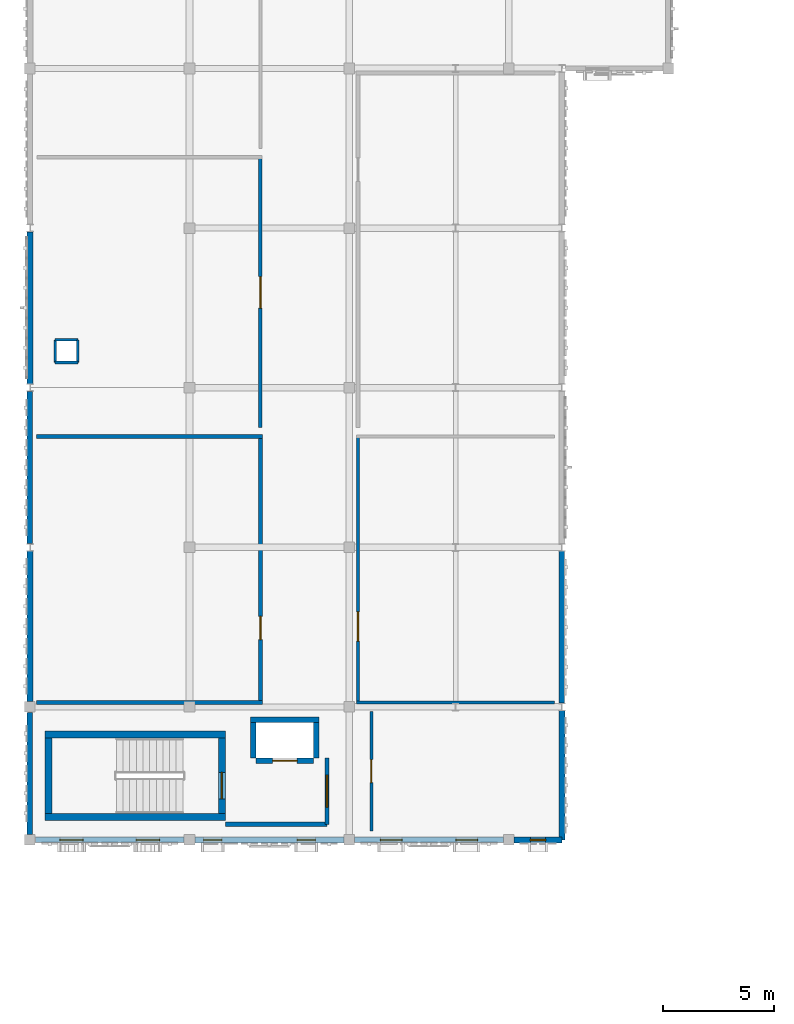
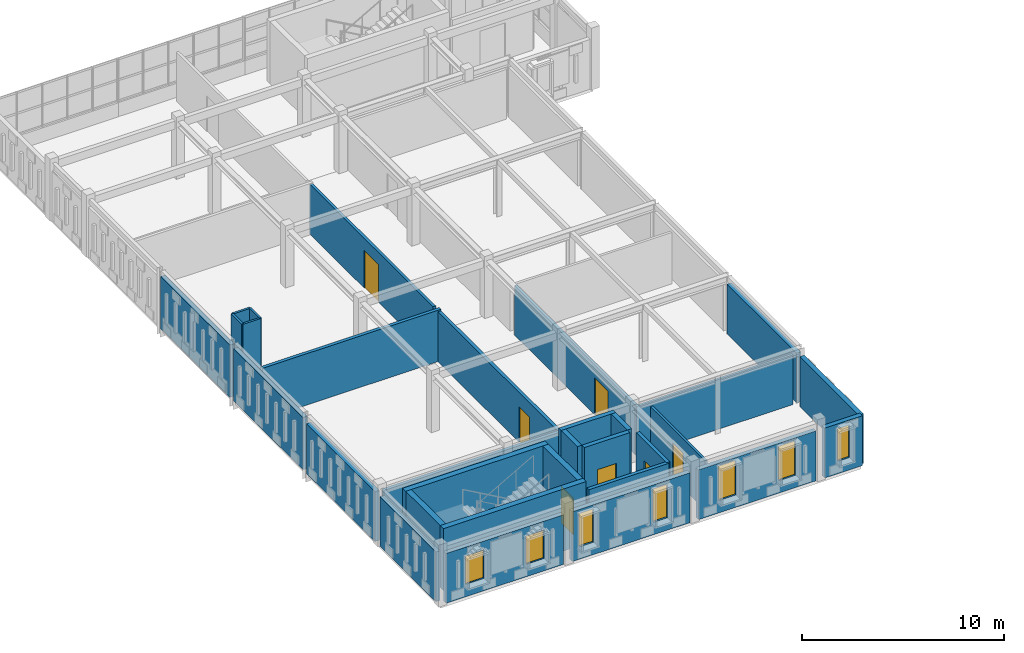
# One storey, part 24 of 53: 31 walls, 7 doors, 7 windows, 14 openings.
"""IFC4 building model written with IfcOpenShell, lengths in metres."""

from ifc_helpers import new_model, si_unit, direction, frame, frame_2d, origin, place, context, subcontext, project, spatial, rectangle, extrude, material, layer, layer_set, type_object, element, fill, save


model = new_model("IFC4")

# Units and contexts
model_context = context("Model", 3, precision=1e-05, world=origin(), true_north=direction((0.0, 1.0)))
body_context = subcontext(model_context, "Body", "Model", "MODEL_VIEW")
ifc_project = project(units=[si_unit("LENGTHUNIT", "METRE"), si_unit("AREAUNIT", "SQUARE_METRE"), si_unit("VOLUMEUNIT", "CUBIC_METRE"), si_unit("PLANEANGLEUNIT", "RADIAN"), si_unit("MASSUNIT", "GRAM", prefix="KILO")], contexts=[model_context])

# Site, building, storey
site_placement = place(None, origin())
site = spatial("IfcSite", under=ifc_project, at=site_placement, CompositionType="ELEMENT")
building_placement = place(site_placement, origin())
building = spatial("IfcBuilding", under=site, at=building_placement, Name="Nzembalo Square Collegiate School", CompositionType="ELEMENT")
storey_placement = place(building_placement, frame((0.0, 0.0, 13.60009765625)))
storey = spatial("IfcBuildingStorey", under=building, at=storey_placement, Name="L03", CompositionType="ELEMENT", Elevation=13.60009765625)

# Walls
ifc_material_1 = material(Name="Concrete C40/50", Category="concrete")
ifc_layer_1 = layer(ifc_material_1, 0.320068359375, Name="Concrete C40/50")
ifc_layer_set_1 = layer_set([ifc_layer_1], Name="Concrete C40/50")
wall_type_1 = type_object("IfcWallType", Name="SW01", PredefinedType="SHEAR", material=ifc_layer_set_1)
wall_1_placement = place(storey_placement, frame((9.239990234375, 45.60009765625, 0.0), z_axis=(0.0, 0.0, 1.0), x_axis=(0.0, 1.0, 0.0)))
element("IfcWall", 1, at=wall_1_placement, inside=storey, type_object=wall_type_1, Name="Core C1 stair shear wall W L03", PredefinedType="SHEAR", context=body_context, shape_type="SweptSolid", body=[
    extrude(rectangle(XDim=3.39990234375, YDim=0.320068359375, at=frame_2d((1.699951171875, 0.0))), origin(), (0.0, 0.0, 1.0), 3.739990234375),
])
for number, where, z_axis, x_axis, name in (
    (2, (9.080078125, 45.43994140625, 0.0), (0.0, 0.0, 1.0), (1.0, 0.0, 0.0), "Core C1 stair shear wall S L03"),
    (3, (9.080078125, 49.159912109375, 0.0), (0.0, 0.0, 1.0), (1.0, 0.0, 0.0), "Core C1 stair shear wall N L03"),
):
    element("IfcWall", number, at=place(storey_placement, frame(where, z_axis=z_axis, x_axis=x_axis)), inside=storey, type_object=wall_type_1, Name=name, PredefinedType="SHEAR", context=body_context, shape_type="SweptSolid", body=[
        extrude(rectangle(XDim=8.139892578125, YDim=0.320068359375, at=frame_2d((4.06982421875, 0.0))), origin(), (0.0, 0.0, 1.0), 3.739990234375),
    ])

# Wall, opening, door
wall_2_placement = place(storey_placement, frame((17.06005859375, 45.60009765625, 0.0), z_axis=(0.0, 0.0, 1.0), x_axis=(0.0, 1.0, 0.0)))
wall_2 = element("IfcWall", 4, at=wall_2_placement, inside=storey, type_object=wall_type_1, Name="Core C1 stair shear wall E L03", PredefinedType="SHEAR", context=body_context, shape_type="SweptSolid", body=[
    extrude(rectangle(XDim=3.39990234375, YDim=0.320068359375, at=frame_2d((1.699951171875, 0.0))), origin(), (0.0, 0.0, 1.0), 3.739990234375),
])
opening_1_placement = place(wall_2_placement, frame((0.64990234375, 0.0, 0.0)))
opening_1 = element("IfcOpeningElement", 5, at=opening_1_placement, cuts=wall_2, Name="Opening FD-009", PredefinedType="OPENING", context=body_context, shape_type="SweptSolid", body=[
    extrude(rectangle(XDim=1.199951171875, YDim=2.199951171875, at=frame_2d((0.60009765625, 1.10009765625))), frame((0.0, 0.169921875, 0.0), z_axis=(0.0, -1.0, 0.0), x_axis=(1.0, 0.0, 0.0)), (0.0, 0.0, 1.0), 0.340087890625),
])
ifc_material_2 = material(Name="Fire-rated steel acoustic door", Category="steel")
door_type_1 = type_object("IfcDoorType", Name="FD01", OperationType="NOTDEFINED", PredefinedType="DOOR", material=ifc_material_2)
door_1_placement = place(opening_1_placement, origin())
door_1 = element("IfcDoor", 6, at=door_1_placement, inside=storey, type_object=door_type_1, Name="Stair fire door FD-009", OperationType="SINGLE_SWING_LEFT", OverallHeight=2.199951171875, OverallWidth=1.199951171875, PredefinedType="DOOR", context=body_context, shape_type="SweptSolid", body=[
    extrude(rectangle(XDim=1.199951171875, YDim=2.199951171875, at=frame_2d((0.60009765625, 1.10009765625))), frame((0.0, 0.02490234375, 0.0), z_axis=(0.0, -1.0, 0.0), x_axis=(1.0, 0.0, 0.0)), (0.0, 0.0, 1.0), 0.050048828125),
])
fill(opening_1, door_1)

# Walls
ifc_material_3 = material(Name="Concrete C35/45", Category="concrete")
ifc_layer_2 = layer(ifc_material_3, 0.25, Name="Concrete C35/45")
ifc_layer_set_2 = layer_set([ifc_layer_2], Name="Concrete C35/45")
wall_type_2 = type_object("IfcWallType", Name="SW05", PredefinedType="SHEAR", material=ifc_layer_set_2)
for number, where, z_axis, x_axis, name in (
    (7, (18.47509765625, 48.10009765625, 0.0), (0.0, 0.0, 1.0), (0.0, 1.0, 0.0), "Lift LF1 shaft wall W L03"),
    (8, (21.324951171875, 48.10009765625, 0.0), (0.0, 0.0, 1.0), (0.0, 1.0, 0.0), "Lift LF1 shaft wall E L03"),
):
    element("IfcWall", number, at=place(storey_placement, frame(where, z_axis=z_axis, x_axis=x_axis)), inside=storey, type_object=wall_type_2, Name=name, PredefinedType="SHEAR", context=body_context, shape_type="SweptSolid", body=[
        extrude(rectangle(XDim=1.599853515625, YDim=0.25, at=frame_2d((0.7998046875, 0.0))), origin(), (0.0, 0.0, 1.0), 3.739990234375),
    ])
wall_3_placement = place(storey_placement, frame((18.35009765625, 49.824951171875, 0.0), z_axis=(0.0, 0.0, 1.0), x_axis=(1.0, 0.0, 0.0)))
element("IfcWall", 9, at=wall_3_placement, inside=storey, type_object=wall_type_2, Name="Lift LF1 shaft wall N L03", PredefinedType="SHEAR", context=body_context, shape_type="SweptSolid", body=[
    extrude(rectangle(XDim=3.099853515625, YDim=0.25, at=frame_2d((1.5498046875, 0.0))), origin(), (0.0, 0.0, 1.0), 3.739990234375),
])

# Wall, opening, door
wall_4_placement = place(storey_placement, frame((18.60009765625, 47.97509765625, 0.0), z_axis=(0.0, 0.0, 1.0), x_axis=(1.0, 0.0, 0.0)))
wall_4 = element("IfcWall", 10, at=wall_4_placement, inside=storey, type_object=wall_type_2, Name="Lift LF1 landing front wall L03", PredefinedType="SHEAR", context=body_context, shape_type="SweptSolid", body=[
    extrude(rectangle(XDim=2.599853515625, YDim=0.25, at=frame_2d((1.2998046875, 0.0))), origin(), (0.0, 0.0, 1.0), 3.739990234375),
])
opening_2_placement = place(wall_4_placement, frame((0.75, 0.0, 0.0)))
opening_2 = element("IfcOpeningElement", 11, at=opening_2_placement, cuts=wall_4, Name="Opening LD-LF1-L03", PredefinedType="OPENING", context=body_context, shape_type="SweptSolid", body=[
    extrude(rectangle(XDim=1.10009765625, YDim=2.14990234375, at=frame_2d((0.550048828125, 1.074951171875))), frame((0.0, 0.135009765625, 0.0), z_axis=(0.0, -1.0, 0.0), x_axis=(1.0, 0.0, 0.0)), (0.0, 0.0, 1.0), 0.27001953125),
])
ifc_material_4 = material(Name="Stainless-steel sliding landing door", Category="steel")
door_type_2 = type_object("IfcDoorType", Name="LD01", OperationType="DOUBLE_DOOR_SLIDING", PredefinedType="DOOR", material=ifc_material_4)
door_2_placement = place(opening_2_placement, origin())
door_2 = element("IfcDoor", 12, at=door_2_placement, inside=storey, type_object=door_type_2, Name="Sliding lift landing door LD-LF1-L03", OperationType="DOUBLE_DOOR_SLIDING", OverallHeight=2.14990234375, OverallWidth=1.10009765625, PredefinedType="DOOR", context=body_context, shape_type="SweptSolid", body=[
    extrude(rectangle(XDim=1.10009765625, YDim=2.14990234375, at=frame_2d((0.550048828125, 1.074951171875))), frame((0.0, 0.02490234375, 0.0), z_axis=(0.0, -1.0, 0.0), x_axis=(1.0, 0.0, 0.0)), (0.0, 0.0, 1.0), 0.050048828125),
])
fill(opening_2, door_2)

# Wall, openings, windows
ifc_material_5 = material(Name="Concrete C30/37", Category="concrete")
ifc_layer_3 = layer(ifc_material_5, 0.264892578125, Name="Concrete C30/37")
ifc_layer_set_3 = layer_set([ifc_layer_3], Name="Concrete C30/37")
wall_type_3 = type_object("IfcWallType", Name="W06", PredefinedType="SOLIDWALL", material=ifc_layer_set_3)
wall_5_placement = place(storey_placement, frame((15.842041015625, 44.39990234375, 0.0), z_axis=(0.0, 0.0, 1.0), x_axis=(1.0, 0.0, 0.0)))
wall_5 = element("IfcWall", 13, at=wall_5_placement, inside=storey, type_object=wall_type_3, Name="Exterior wall W06 L03", PredefinedType="SOLIDWALL", context=body_context, shape_type="SweptSolid", body=[
    extrude(rectangle(XDim=6.716064453125, YDim=0.264892578125, at=frame_2d((3.35791015625, 0.0))), origin(), (0.0, 0.0, 1.0), 3.0087890625),
])
opening_3_placement = place(wall_5_placement, frame((0.39794921875, 0.0, 0.75)))
opening_3 = element("IfcOpeningElement", 14, at=opening_3_placement, cuts=wall_5, Name="Opening WN-L03-703", PredefinedType="OPENING", context=body_context, shape_type="SweptSolid", body=[
    extrude(rectangle(XDim=0.820068359375, YDim=2.02001953125, at=frame_2d((0.41015625, 1.010009765625))), frame((0.0, 0.142578125, 0.0), z_axis=(0.0, -1.0, 0.0), x_axis=(1.0, 0.0, 0.0)), (0.0, 0.0, 1.0), 0.284912109375),
])
opening_4_placement = place(wall_5_placement, frame((4.612060546875, 0.0, 0.75)))
opening_4 = element("IfcOpeningElement", 15, at=opening_4_placement, cuts=wall_5, Name="Opening WN-L03-704", PredefinedType="OPENING", context=body_context, shape_type="SweptSolid", body=[
    extrude(rectangle(XDim=0.820068359375, YDim=2.02001953125, at=frame_2d((0.41015625, 1.010009765625))), frame((0.0, 0.142578125, 0.0), z_axis=(0.0, -1.0, 0.0), x_axis=(1.0, 0.0, 0.0)), (0.0, 0.0, 1.0), 0.284912109375),
])
ifc_material_6 = material(Name="Powder-coated aluminium and low-E double glazing", Category="aluminium")
window_type_1 = type_object("IfcWindowType", Name="WN38", PartitioningType="SINGLE_PANEL", PredefinedType="WINDOW", material=ifc_material_6)
window_1_placement = place(opening_3_placement, origin())
window_1 = element("IfcWindow", 16, at=window_1_placement, inside=storey, type_object=window_type_1, Name="Lancet window WN-L03-703", OverallHeight=2.02001953125, OverallWidth=0.820068359375, PartitioningType="SINGLE_PANEL", PredefinedType="WINDOW", context=body_context, shape_type="SweptSolid", body=[
    extrude(rectangle(XDim=0.820068359375, YDim=2.02001953125, at=frame_2d((0.41015625, 1.010009765625))), frame((0.0, 0.030029296875, 0.0), z_axis=(0.0, -1.0, 0.0), x_axis=(1.0, 0.0, 0.0)), (0.0, 0.0, 1.0), 0.06005859375),
])
fill(opening_3, window_1)
window_2_placement = place(opening_4_placement, origin())
window_2 = element("IfcWindow", 17, at=window_2_placement, inside=storey, type_object=window_type_1, Name="Lancet window WN-L03-704", OverallHeight=2.02001953125, OverallWidth=0.820068359375, PartitioningType="SINGLE_PANEL", PredefinedType="WINDOW", context=body_context, shape_type="SweptSolid", body=[
    extrude(rectangle(XDim=0.820068359375, YDim=2.02001953125, at=frame_2d((0.41015625, 1.010009765625))), frame((0.0, 0.030029296875, 0.0), z_axis=(0.0, -1.0, 0.0), x_axis=(1.0, 0.0, 0.0)), (0.0, 0.0, 1.0), 0.06005859375),
])
fill(opening_4, window_2)

# Wall, opening, window
wall_6_placement = place(storey_placement, frame((30.241943359375, 44.39990234375, 0.0), z_axis=(0.0, 0.0, 1.0), x_axis=(1.0, 0.0, 0.0)))
wall_6 = element("IfcWall", 18, at=wall_6_placement, inside=storey, type_object=wall_type_3, Name="Exterior wall W06 L03", PredefinedType="SOLIDWALL", context=body_context, shape_type="SweptSolid", body=[
    extrude(rectangle(XDim=2.157958984375, YDim=0.264892578125, at=frame_2d((1.0791015625, 0.0))), origin(), (0.0, 0.0, 1.0), 3.0087890625),
])
opening_5_placement = place(wall_6_placement, frame((0.739013671875, 0.0, 0.75)))
opening_5 = element("IfcOpeningElement", 19, at=opening_5_placement, cuts=wall_6, Name="Opening WN-L03-725", PredefinedType="OPENING", context=body_context, shape_type="SweptSolid", body=[
    extrude(rectangle(XDim=0.679931640625, YDim=1.9599609375, at=frame_2d((0.33984375, 0.97998046875))), frame((0.0, 0.142578125, 0.0), z_axis=(0.0, -1.0, 0.0), x_axis=(1.0, 0.0, 0.0)), (0.0, 0.0, 1.0), 0.284912109375),
])
ifc_material_7 = material(Name="Powder-coated aluminium and low-E double glazing", Category="aluminium")
window_type_2 = type_object("IfcWindowType", Name="WN60", PartitioningType="SINGLE_PANEL", PredefinedType="WINDOW", material=ifc_material_7)
window_3_placement = place(opening_5_placement, origin())
window_3 = element("IfcWindow", 20, at=window_3_placement, inside=storey, type_object=window_type_2, Name="Lancet window WN-L03-725", OverallHeight=1.9599609375, OverallWidth=0.679931640625, PartitioningType="SINGLE_PANEL", PredefinedType="WINDOW", context=body_context, shape_type="SweptSolid", body=[
    extrude(rectangle(XDim=0.679931640625, YDim=1.9599609375, at=frame_2d((0.33984375, 0.97998046875))), frame((0.0, 0.030029296875, 0.0), z_axis=(0.0, -1.0, 0.0), x_axis=(1.0, 0.0, 0.0)), (0.0, 0.0, 1.0), 0.06005859375),
])
fill(opening_5, window_3)

# Walls
wall_7_placement = place(storey_placement, frame((8.39990234375, 50.64208984375, 0.0), z_axis=(0.0, 0.0, 1.0), x_axis=(0.0, 1.0, 0.0)))
element("IfcWall", 21, at=wall_7_placement, inside=storey, type_object=wall_type_3, Name="Exterior wall W06 L03", PredefinedType="SOLIDWALL", context=body_context, shape_type="SweptSolid", body=[
    extrude(rectangle(XDim=6.785888671875, YDim=0.264892578125, at=frame_2d((3.39306640625, 0.0))), origin(), (0.0, 0.0, 1.0), 2.9990234375),
])
wall_8_placement = place(storey_placement, frame((8.39990234375, 64.971923828125, 0.0), z_axis=(0.0, 0.0, 1.0), x_axis=(0.0, 1.0, 0.0)))
element("IfcWall", 22, at=wall_8_placement, inside=storey, type_object=wall_type_3, Name="Exterior wall W06 L03", PredefinedType="SOLIDWALL", context=body_context, shape_type="SweptSolid", body=[
    extrude(rectangle(XDim=6.85595703125, YDim=0.264892578125, at=frame_2d((3.427978515625, 0.0))), origin(), (0.0, 0.0, 1.0), 3.14892578125),
])
wall_9_placement = place(storey_placement, frame((32.39990234375, 44.39990234375, 0.0), z_axis=(0.0, 0.0, 1.0), x_axis=(0.0, 1.0, 0.0)))
element("IfcWall", 23, at=wall_9_placement, inside=storey, type_object=wall_type_3, Name="Exterior wall W06 L03", PredefinedType="SOLIDWALL", context=body_context, shape_type="SweptSolid", body=[
    extrude(rectangle(XDim=5.828125, YDim=0.264892578125, at=frame_2d((2.9140625, 0.0))), origin(), (0.0, 0.0, 1.0), 2.9990234375),
])

# Wall, openings, windows
ifc_material_8 = material(Name="CLT CL24", Category="wood")
ifc_layer_4 = layer(ifc_material_8, 0.2451171875, Name="CLT CL24")
ifc_layer_set_4 = layer_set([ifc_layer_4], Name="CLT CL24")
wall_type_4 = type_object("IfcWallType", Name="W07", PredefinedType="SOLIDWALL", material=ifc_layer_set_4)
wall_10_placement = place(storey_placement, frame((8.64208984375, 44.39990234375, 0.0), z_axis=(0.0, 0.0, 1.0), x_axis=(1.0, 0.0, 0.0)))
wall_10 = element("IfcWall", 24, at=wall_10_placement, inside=storey, type_object=wall_type_4, Name="Exterior wall W07 L03", PredefinedType="SOLIDWALL", context=body_context, shape_type="SweptSolid", body=[
    extrude(rectangle(XDim=6.7158203125, YDim=0.2451171875, at=frame_2d((3.35791015625, 0.0))), origin(), (0.0, 0.0, 1.0), 2.9990234375),
])
opening_6_placement = place(wall_10_placement, frame((1.111572265625, 0.0, 0.75)))
opening_6 = element("IfcOpeningElement", 25, at=opening_6_placement, cuts=wall_10, Name="Opening WN-L03-679", PredefinedType="OPENING", context=body_context, shape_type="SweptSolid", body=[
    extrude(rectangle(XDim=1.050048828125, YDim=1.699951171875, at=frame_2d((0.52490234375, 0.85009765625))), frame((0.0, 0.132568359375, 0.0), z_axis=(0.0, -1.0, 0.0), x_axis=(1.0, 0.0, 0.0)), (0.0, 0.0, 1.0), 0.26513671875),
])
opening_7_placement = place(wall_10_placement, frame((4.554443359375, 0.0, 0.75)))
opening_7 = element("IfcOpeningElement", 26, at=opening_7_placement, cuts=wall_10, Name="Opening WN-L03-680", PredefinedType="OPENING", context=body_context, shape_type="SweptSolid", body=[
    extrude(rectangle(XDim=1.050048828125, YDim=1.699951171875, at=frame_2d((0.52490234375, 0.85009765625))), frame((0.0, 0.132568359375, 0.0), z_axis=(0.0, -1.0, 0.0), x_axis=(1.0, 0.0, 0.0)), (0.0, 0.0, 1.0), 0.26513671875),
])
ifc_material_9 = material(Name="Powder-coated aluminium and low-E double glazing", Category="aluminium")
window_type_3 = type_object("IfcWindowType", Name="WN14", PartitioningType="SINGLE_PANEL", PredefinedType="WINDOW", material=ifc_material_9)
window_4_placement = place(opening_6_placement, origin())
window_4 = element("IfcWindow", 27, at=window_4_placement, inside=storey, type_object=window_type_3, Name="Lancet window WN-L03-679", OverallHeight=1.699951171875, OverallWidth=1.050048828125, PartitioningType="SINGLE_PANEL", PredefinedType="WINDOW", context=body_context, shape_type="SweptSolid", body=[
    extrude(rectangle(XDim=1.050048828125, YDim=1.699951171875, at=frame_2d((0.52490234375, 0.85009765625))), frame((0.0, 0.030029296875, 0.0), z_axis=(0.0, -1.0, 0.0), x_axis=(1.0, 0.0, 0.0)), (0.0, 0.0, 1.0), 0.06005859375),
])
fill(opening_6, window_4)
window_5_placement = place(opening_7_placement, origin())
window_5 = element("IfcWindow", 28, at=window_5_placement, inside=storey, type_object=window_type_3, Name="Lancet window WN-L03-680", OverallHeight=1.699951171875, OverallWidth=1.050048828125, PartitioningType="SINGLE_PANEL", PredefinedType="WINDOW", context=body_context, shape_type="SweptSolid", body=[
    extrude(rectangle(XDim=1.050048828125, YDim=1.699951171875, at=frame_2d((0.52490234375, 0.85009765625))), frame((0.0, 0.030029296875, 0.0), z_axis=(0.0, -1.0, 0.0), x_axis=(1.0, 0.0, 0.0)), (0.0, 0.0, 1.0), 0.06005859375),
])
fill(opening_7, window_5)

wall_11_placement = place(storey_placement, frame((23.0419921875, 44.39990234375, 0.0), z_axis=(0.0, 0.0, 1.0), x_axis=(1.0, 0.0, 0.0)))
wall_11 = element("IfcWall", 29, at=wall_11_placement, inside=storey, type_object=wall_type_4, Name="Exterior wall W07 L03", PredefinedType="SOLIDWALL", context=body_context, shape_type="SweptSolid", body=[
    extrude(rectangle(XDim=6.716064453125, YDim=0.2451171875, at=frame_2d((3.35791015625, 0.0))), origin(), (0.0, 0.0, 1.0), 3.0087890625),
])
opening_8_placement = place(wall_11_placement, frame((1.1640625, 0.0, 0.75)))
opening_8 = element("IfcOpeningElement", 30, at=opening_8_placement, cuts=wall_11, Name="Opening WN-L03-706", PredefinedType="OPENING", context=body_context, shape_type="SweptSolid", body=[
    extrude(rectangle(XDim=0.97998046875, YDim=2.080078125, at=frame_2d((0.489990234375, 1.0400390625))), frame((0.0, 0.132568359375, 0.0), z_axis=(0.0, -1.0, 0.0), x_axis=(1.0, 0.0, 0.0)), (0.0, 0.0, 1.0), 0.26513671875),
])
opening_9_placement = place(wall_11_placement, frame((4.572021484375, 0.0, 0.75)))
opening_9 = element("IfcOpeningElement", 31, at=opening_9_placement, cuts=wall_11, Name="Opening WN-L03-707", PredefinedType="OPENING", context=body_context, shape_type="SweptSolid", body=[
    extrude(rectangle(XDim=0.97998046875, YDim=2.080078125, at=frame_2d((0.489990234375, 1.0400390625))), frame((0.0, 0.132568359375, 0.0), z_axis=(0.0, -1.0, 0.0), x_axis=(1.0, 0.0, 0.0)), (0.0, 0.0, 1.0), 0.26513671875),
])
ifc_material_10 = material(Name="Powder-coated aluminium and low-E double glazing", Category="aluminium")
window_type_4 = type_object("IfcWindowType", Name="WN41", PartitioningType="SINGLE_PANEL", PredefinedType="WINDOW", material=ifc_material_10)
window_6_placement = place(opening_8_placement, origin())
window_6 = element("IfcWindow", 32, at=window_6_placement, inside=storey, type_object=window_type_4, Name="Lancet window WN-L03-706", OverallHeight=2.080078125, OverallWidth=0.97998046875, PartitioningType="SINGLE_PANEL", PredefinedType="WINDOW", context=body_context, shape_type="SweptSolid", body=[
    extrude(rectangle(XDim=0.97998046875, YDim=2.080078125, at=frame_2d((0.489990234375, 1.0400390625))), frame((0.0, 0.030029296875, 0.0), z_axis=(0.0, -1.0, 0.0), x_axis=(1.0, 0.0, 0.0)), (0.0, 0.0, 1.0), 0.06005859375),
])
fill(opening_8, window_6)
window_7_placement = place(opening_9_placement, origin())
window_7 = element("IfcWindow", 33, at=window_7_placement, inside=storey, type_object=window_type_4, Name="Lancet window WN-L03-707", OverallHeight=2.080078125, OverallWidth=0.97998046875, PartitioningType="SINGLE_PANEL", PredefinedType="WINDOW", context=body_context, shape_type="SweptSolid", body=[
    extrude(rectangle(XDim=0.97998046875, YDim=2.080078125, at=frame_2d((0.489990234375, 1.0400390625))), frame((0.0, 0.030029296875, 0.0), z_axis=(0.0, -1.0, 0.0), x_axis=(1.0, 0.0, 0.0)), (0.0, 0.0, 1.0), 0.06005859375),
])
fill(opening_9, window_7)

# Walls
wall_12_placement = place(storey_placement, frame((8.39990234375, 44.64208984375, 0.0), z_axis=(0.0, 0.0, 1.0), x_axis=(0.0, 1.0, 0.0)))
element("IfcWall", 34, at=wall_12_placement, inside=storey, type_object=wall_type_4, Name="Exterior wall W07 L03", PredefinedType="SOLIDWALL", context=body_context, shape_type="SweptSolid", body=[
    extrude(rectangle(XDim=5.515869140625, YDim=0.2451171875, at=frame_2d((2.7578125, 0.0))), origin(), (0.0, 0.0, 1.0), 2.9990234375),
])
wall_13_placement = place(storey_placement, frame((8.39990234375, 57.77197265625, 0.0), z_axis=(0.0, 0.0, 1.0), x_axis=(0.0, 1.0, 0.0)))
element("IfcWall", 35, at=wall_13_placement, inside=storey, type_object=wall_type_4, Name="Exterior wall W07 L03", PredefinedType="SOLIDWALL", context=body_context, shape_type="SweptSolid", body=[
    extrude(rectangle(XDim=6.85595703125, YDim=0.2451171875, at=frame_2d((3.427978515625, 0.0))), origin(), (0.0, 0.0, 1.0), 3.14892578125),
])
wall_14_placement = place(storey_placement, frame((32.39990234375, 50.572021484375, 0.0), z_axis=(0.0, 0.0, 1.0), x_axis=(0.0, 1.0, 0.0)))
element("IfcWall", 36, at=wall_14_placement, inside=storey, type_object=wall_type_4, Name="Exterior wall W07 L03", PredefinedType="SOLIDWALL", context=body_context, shape_type="SweptSolid", body=[
    extrude(rectangle(XDim=6.85595703125, YDim=0.2451171875, at=frame_2d((3.427978515625, 0.0))), origin(), (0.0, 0.0, 1.0), 2.9990234375),
])

# Wall, opening, door
ifc_material_11 = material(Name="Concrete blockwork C25/30", Category="masonry")
ifc_layer_5 = layer(ifc_material_11, 0.199951171875, Name="Concrete blockwork C25/30")
ifc_layer_set_5 = layer_set([ifc_layer_5], Name="Concrete blockwork C25/30")
wall_type_5 = type_object("IfcWallType", Name="W11", PredefinedType="PARTITIONING", material=ifc_layer_set_5)
wall_15_placement = place(storey_placement, frame((21.800048828125, 45.10009765625, 0.0), z_axis=(0.0, 0.0, 1.0), x_axis=(0.0, 1.0, 0.0)))
wall_15 = element("IfcWall", 37, at=wall_15_placement, inside=storey, type_object=wall_type_5, Name="Core C1 EI 60 lobby wall E L03", PredefinedType="PARTITIONING", context=body_context, shape_type="SweptSolid", body=[
    extrude(rectangle(XDim=3.0, YDim=0.199951171875, at=frame_2d((1.5, 0.0))), origin(), (0.0, 0.0, 1.0), 3.413818359375),
])
opening_10_placement = place(wall_15_placement, frame((0.77490234375, 0.0, 0.0)))
opening_10 = element("IfcOpeningElement", 38, at=opening_10_placement, cuts=wall_15, Name="Opening FD-010", PredefinedType="OPENING", context=body_context, shape_type="SweptSolid", body=[
    extrude(rectangle(XDim=1.449951171875, YDim=2.199951171875, at=frame_2d((0.72509765625, 1.10009765625))), frame((0.0, 0.10986328125, 0.0), z_axis=(0.0, -1.0, 0.0), x_axis=(1.0, 0.0, 0.0)), (0.0, 0.0, 1.0), 0.219970703125),
])
ifc_material_12 = material(Name="Fire-rated double lobby door")
door_type_3 = type_object("IfcDoorType", Name="FD02", OperationType="DOUBLE_DOOR_SINGLE_SWING", PredefinedType="DOOR", material=ifc_material_12)
door_3_placement = place(opening_10_placement, frame((1.449951171875, 0.0, 0.0), z_axis=(0.0, 0.0, 1.0), x_axis=(-1.0, 0.0, 0.0)))
door_3 = element("IfcDoor", 39, at=door_3_placement, inside=storey, type_object=door_type_3, Name="Protected lobby fire door FD-010", OperationType="DOUBLE_DOOR_SINGLE_SWING", OverallHeight=2.199951171875, OverallWidth=1.449951171875, PredefinedType="DOOR", context=body_context, shape_type="SweptSolid", body=[
    extrude(rectangle(XDim=1.449951171875, YDim=2.199951171875, at=frame_2d((0.72509765625, 1.10009765625))), frame((0.0, 0.02490234375, 0.0), z_axis=(0.0, -1.0, 0.0), x_axis=(1.0, 0.0, 0.0)), (0.0, 0.0, 1.0), 0.050048828125),
])
fill(opening_10, door_3)

# Wall
wall_16_placement = place(storey_placement, frame((17.219970703125, 45.10009765625, 0.0), z_axis=(0.0, 0.0, 1.0), x_axis=(1.0, 0.0, 0.0)))
element("IfcWall", 40, at=wall_16_placement, inside=storey, type_object=wall_type_5, Name="Core C1 EI 60 lobby wall S L03", PredefinedType="PARTITIONING", context=body_context, shape_type="SweptSolid", body=[
    extrude(rectangle(XDim=4.580078125, YDim=0.199951171875, at=frame_2d((2.2900390625, 0.0))), origin(), (0.0, 0.0, 1.0), 3.413818359375),
])

# Wall, opening, door
ifc_material_13 = material(Name="Acoustic double-board stud")
ifc_layer_6 = layer(ifc_material_13, 0.155029296875, Name="Acoustic double-board stud")
ifc_layer_set_6 = layer_set([ifc_layer_6], Name="Acoustic double-board stud")
wall_type_6 = type_object("IfcWallType", Name="W16", PredefinedType="PARTITIONING", material=ifc_layer_set_6)
wall_17_placement = place(storey_placement, frame((18.800048828125, 63.0, 0.0), z_axis=(0.0, 0.0, 1.0), x_axis=(0.0, 1.0, 0.0)))
wall_17 = element("IfcWall", 41, at=wall_17_placement, inside=storey, type_object=wall_type_6, Name="Interior partition W16 L03-020-E", PredefinedType="PARTITIONING", context=body_context, shape_type="SweptSolid", body=[
    extrude(rectangle(XDim=12.199951171875, YDim=0.155029296875, at=frame_2d((6.10009765625, 0.0))), origin(), (0.0, 0.0, 1.0), 3.0087890625),
])
opening_11_placement = place(wall_17_placement, frame((5.389892578125, 0.0, 0.0)))
opening_11 = element("IfcOpeningElement", 42, at=opening_11_placement, cuts=wall_17, Name="Opening D-L03-076", PredefinedType="OPENING", context=body_context, shape_type="SweptSolid", body=[
    extrude(rectangle(XDim=1.419921875, YDim=2.260009765625, at=frame_2d((0.7099609375, 1.1298828125))), frame((0.0, 0.08740234375, 0.0), z_axis=(0.0, -1.0, 0.0), x_axis=(1.0, 0.0, 0.0)), (0.0, 0.0, 1.0), 0.175048828125),
])
ifc_material_14 = material(Name="Glazed student cafe double door")
door_type_4 = type_object("IfcDoorType", Name="D17", OperationType="DOUBLE_DOOR_SINGLE_SWING", PredefinedType="DOOR", material=ifc_material_14)
door_4_placement = place(opening_11_placement, origin())
door_4 = element("IfcDoor", 43, at=door_4_placement, inside=storey, type_object=door_type_4, Name="Interior door D-L03-076 (Middle-School Humanities Classroom 3B)", OperationType="DOUBLE_DOOR_SINGLE_SWING", OverallHeight=2.260009765625, OverallWidth=1.419921875, PredefinedType="DOOR", context=body_context, shape_type="SweptSolid", body=[
    extrude(rectangle(XDim=1.419921875, YDim=2.260009765625, at=frame_2d((0.7099609375, 1.1298828125))), frame((0.0, 0.02490234375, 0.0), z_axis=(0.0, -1.0, 0.0), x_axis=(1.0, 0.0, 0.0)), (0.0, 0.0, 1.0), 0.050048828125),
])
fill(opening_11, door_4)

# Wall
ifc_material_15 = material(Name="Cement-board wet-room partition")
ifc_layer_7 = layer(ifc_material_15, 0.135009765625, Name="Cement-board wet-room partition")
ifc_layer_set_7 = layer_set([ifc_layer_7], Name="Cement-board wet-room partition")
wall_type_7 = type_object("IfcWallType", Name="W19", PredefinedType="PARTITIONING", material=ifc_layer_set_7)
wall_18_placement = place(storey_placement, frame((23.132568359375, 50.60009765625, 0.0), z_axis=(0.0, 0.0, 1.0), x_axis=(1.0, 0.0, 0.0)))
element("IfcWall", 44, at=wall_18_placement, inside=storey, type_object=wall_type_7, Name="Interior partition W19 L03-022-S", PredefinedType="PARTITIONING", context=body_context, shape_type="SweptSolid", body=[
    extrude(rectangle(XDim=8.934814453125, YDim=0.135009765625, at=frame_2d((4.46728515625, 0.0))), origin(), (0.0, 0.0, 1.0), 2.9990234375),
])

# Wall, opening, door
wall_19_placement = place(storey_placement, frame((23.199951171875, 50.60009765625, 0.0), z_axis=(0.0, 0.0, 1.0), x_axis=(0.0, 1.0, 0.0)))
wall_19 = element("IfcWall", 45, at=wall_19_placement, inside=storey, type_object=wall_type_7, Name="Interior partition W19 L03-022-W", PredefinedType="PARTITIONING", context=body_context, shape_type="SweptSolid", body=[
    extrude(rectangle(XDim=12.0, YDim=0.135009765625, at=frame_2d((6.0, 0.0))), origin(), (0.0, 0.0, 1.0), 2.9990234375),
])
opening_12_placement = place(wall_19_placement, frame((2.77001953125, 0.0, 0.0)))
opening_12 = element("IfcOpeningElement", 46, at=opening_12_placement, cuts=wall_19, Name="Opening D-L03-078", PredefinedType="OPENING", context=body_context, shape_type="SweptSolid", body=[
    extrude(rectangle(XDim=1.320068359375, YDim=2.219970703125, at=frame_2d((0.66015625, 1.10986328125))), frame((0.0, 0.07763671875, 0.0), z_axis=(0.0, -1.0, 0.0), x_axis=(1.0, 0.0, 0.0)), (0.0, 0.0, 1.0), 0.155029296875),
])
ifc_material_16 = material(Name="Double-leaf studio acoustic door")
door_type_5 = type_object("IfcDoorType", Name="D04", OperationType="DOUBLE_DOOR_SINGLE_SWING", PredefinedType="DOOR", material=ifc_material_16)
door_5_placement = place(opening_12_placement, origin())
door_5 = element("IfcDoor", 47, at=door_5_placement, inside=storey, type_object=door_type_5, Name="Interior door D-L03-078 (Middle-School Language Studio 3D)", OperationType="DOUBLE_DOOR_SINGLE_SWING", OverallHeight=2.219970703125, OverallWidth=1.320068359375, PredefinedType="DOOR", context=body_context, shape_type="SweptSolid", body=[
    extrude(rectangle(XDim=1.320068359375, YDim=2.219970703125, at=frame_2d((0.66015625, 1.10986328125))), frame((0.0, 0.02490234375, 0.0), z_axis=(0.0, -1.0, 0.0), x_axis=(1.0, 0.0, 0.0)), (0.0, 0.0, 1.0), 0.050048828125),
])
fill(opening_12, door_5)

wall_20_placement = place(storey_placement, frame((23.800048828125, 44.800048828125, 0.0), z_axis=(0.0, 0.0, 1.0), x_axis=(0.0, 1.0, 0.0)))
wall_20 = element("IfcWall", 48, at=wall_20_placement, inside=storey, type_object=wall_type_7, Name="Interior partition W19 L03-024-W", PredefinedType="PARTITIONING", context=body_context, shape_type="SweptSolid", body=[
    extrude(rectangle(XDim=5.39990234375, YDim=0.135009765625, at=frame_2d((2.699951171875, 0.0))), origin(), (0.0, 0.0, 1.0), 2.9990234375),
])
opening_13_placement = place(wall_20_placement, frame((2.179931640625, 0.0, 0.0)))
opening_13 = element("IfcOpeningElement", 49, at=opening_13_placement, cuts=wall_20, Name="Opening D-L03-080", PredefinedType="OPENING", context=body_context, shape_type="SweptSolid", body=[
    extrude(rectangle(XDim=1.0400390625, YDim=2.1201171875, at=frame_2d((0.52001953125, 1.06005859375))), frame((0.0, 0.07763671875, 0.0), z_axis=(0.0, -1.0, 0.0), x_axis=(1.0, 0.0, 0.0)), (0.0, 0.0, 1.0), 0.155029296875),
])
ifc_material_17 = material(Name="Accessible outward-swing WC door")
door_type_6 = type_object("IfcDoorType", Name="D09", OperationType="NOTDEFINED", PredefinedType="DOOR", material=ifc_material_17)
door_6_placement = place(opening_13_placement, origin())
door_6 = element("IfcDoor", 50, at=door_6_placement, inside=storey, type_object=door_type_6, Name="Interior door D-L03-080 (Pavilion 4A Boys', Girls' and Accessible WCs L03)", OperationType="SINGLE_SWING_LEFT", OverallHeight=2.1201171875, OverallWidth=1.0400390625, PredefinedType="DOOR", context=body_context, shape_type="SweptSolid", body=[
    extrude(rectangle(XDim=1.0400390625, YDim=2.1201171875, at=frame_2d((0.52001953125, 1.06005859375))), frame((0.0, 0.02490234375, 0.0), z_axis=(0.0, -1.0, 0.0), x_axis=(1.0, 0.0, 0.0)), (0.0, 0.0, 1.0), 0.050048828125),
])
fill(opening_13, door_6)

# Walls
ifc_material_18 = material(Name="High-mass acoustic blockwork", Category="masonry")
ifc_layer_8 = layer(ifc_material_18, 0.18505859375, Name="High-mass acoustic blockwork")
ifc_layer_set_8 = layer_set([ifc_layer_8], Name="High-mass acoustic blockwork")
wall_type_8 = type_object("IfcWallType", Name="W22", PredefinedType="PARTITIONING", material=ifc_layer_set_8)
wall_21_placement = place(storey_placement, frame((8.70751953125, 50.60009765625, 0.0), z_axis=(0.0, 0.0, 1.0), x_axis=(1.0, 0.0, 0.0)))
element("IfcWall", 51, at=wall_21_placement, inside=storey, type_object=wall_type_8, Name="Interior partition W22 L03-019-S", PredefinedType="PARTITIONING", context=body_context, shape_type="SweptSolid", body=[
    extrude(rectangle(XDim=10.18505859375, YDim=0.18505859375, at=frame_2d((5.092529296875, 0.0))), origin(), (0.0, 0.0, 1.0), 3.0087890625),
])
wall_22_placement = place(storey_placement, frame((8.70751953125, 62.60009765625, 0.0), z_axis=(0.0, 0.0, 1.0), x_axis=(1.0, 0.0, 0.0)))
element("IfcWall", 52, at=wall_22_placement, inside=storey, type_object=wall_type_8, Name="Interior partition W22 L03-019-N", PredefinedType="PARTITIONING", context=body_context, shape_type="SweptSolid", body=[
    extrude(rectangle(XDim=10.18505859375, YDim=0.18505859375, at=frame_2d((5.092529296875, 0.0))), origin(), (0.0, 0.0, 1.0), 3.098876953125),
])

# Wall, opening, door
wall_23_placement = place(storey_placement, frame((18.800048828125, 50.60009765625, 0.0), z_axis=(0.0, 0.0, 1.0), x_axis=(0.0, 1.0, 0.0)))
wall_23 = element("IfcWall", 53, at=wall_23_placement, inside=storey, type_object=wall_type_8, Name="Interior partition W22 L03-019-E", PredefinedType="PARTITIONING", context=body_context, shape_type="SweptSolid", body=[
    extrude(rectangle(XDim=12.0, YDim=0.18505859375, at=frame_2d((6.0, 0.0))), origin(), (0.0, 0.0, 1.0), 3.0087890625),
])
opening_14_placement = place(wall_23_placement, frame((2.83740234375, 0.0, 0.0)))
opening_14 = element("IfcOpeningElement", 54, at=opening_14_placement, cuts=wall_23, Name="Opening D-L03-075", PredefinedType="OPENING", context=body_context, shape_type="SweptSolid", body=[
    extrude(rectangle(XDim=1.050048828125, YDim=2.14990234375, at=frame_2d((0.52490234375, 1.074951171875))), frame((0.0, 0.1025390625, 0.0), z_axis=(0.0, -1.0, 0.0), x_axis=(1.0, 0.0, 0.0)), (0.0, 0.0, 1.0), 0.205078125),
])
ifc_material_19 = material(Name="Fire-rated steel store door", Category="steel")
door_type_7 = type_object("IfcDoorType", Name="FD03", OperationType="NOTDEFINED", PredefinedType="DOOR", material=ifc_material_19)
door_7_placement = place(opening_14_placement, origin())
door_7 = element("IfcDoor", 55, at=door_7_placement, inside=storey, type_object=door_type_7, Name="Interior door D-L03-075 (Middle-School Mathematics Classroom 3A)", OperationType="SINGLE_SWING_RIGHT", OverallHeight=2.14990234375, OverallWidth=1.050048828125, PredefinedType="DOOR", context=body_context, shape_type="SweptSolid", body=[
    extrude(rectangle(XDim=1.050048828125, YDim=2.14990234375, at=frame_2d((0.52490234375, 1.074951171875))), frame((0.0, 0.02490234375, 0.0), z_axis=(0.0, -1.0, 0.0), x_axis=(1.0, 0.0, 0.0)), (0.0, 0.0, 1.0), 0.050048828125),
])
fill(opening_14, door_7)

# Walls
ifc_material_20 = material(Name="Fire-rated shaftwall stud")
ifc_layer_9 = layer(ifc_material_20, 0.1201171875, Name="Fire-rated shaftwall stud")
ifc_layer_set_9 = layer_set([ifc_layer_9], Name="Fire-rated shaftwall stud")
wall_type_9 = type_object("IfcWallType", Name="W23", PredefinedType="PARTITIONING", material=ifc_layer_set_9)
for number, where, z_axis, x_axis, name in (
    (56, (9.5400390625, 65.93994140625, 0.0), (0.0, 0.0, 1.0), (1.0, 0.0, 0.0), "Service riser shaftwall W23-019-1"),
    (57, (10.56005859375, 65.93994140625, 0.0), (0.0, 0.0, 1.0), (0.0, 1.0, 0.0), "Service riser shaftwall W23-019-2"),
    (58, (10.56005859375, 66.9599609375, 0.0), (0.0, 0.0, 1.0), (-1.0, 0.0, 0.0), "Service riser shaftwall W23-019-3"),
    (59, (9.5400390625, 66.9599609375, 0.0), (0.0, 0.0, 1.0), (0.0, -1.0, 0.0), "Service riser shaftwall W23-019-4"),
):
    element("IfcWall", number, at=place(storey_placement, frame(where, z_axis=z_axis, x_axis=x_axis)), inside=storey, type_object=wall_type_9, Name=name, PredefinedType="PARTITIONING", context=body_context, shape_type="SweptSolid", body=[
        extrude(rectangle(XDim=1.02001953125, YDim=0.1201171875, at=frame_2d((0.510009765625, 0.0))), origin(), (0.0, 0.0, 1.0), 3.413818359375),
    ])

save(model, "model.ifc")
